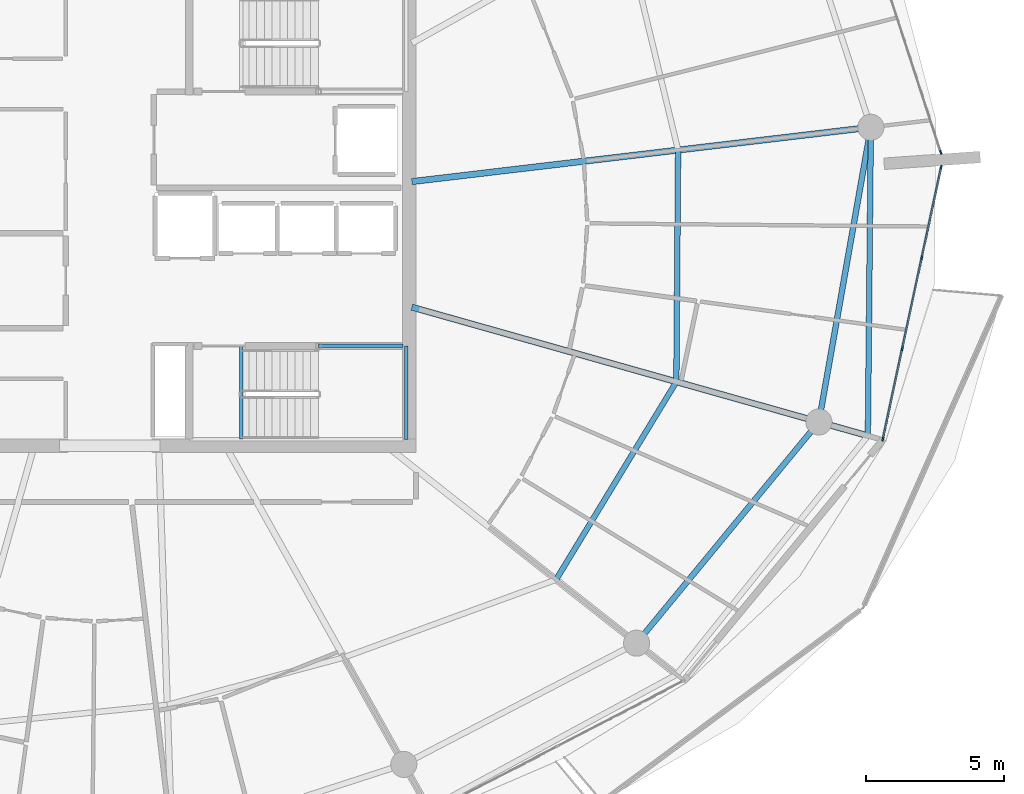
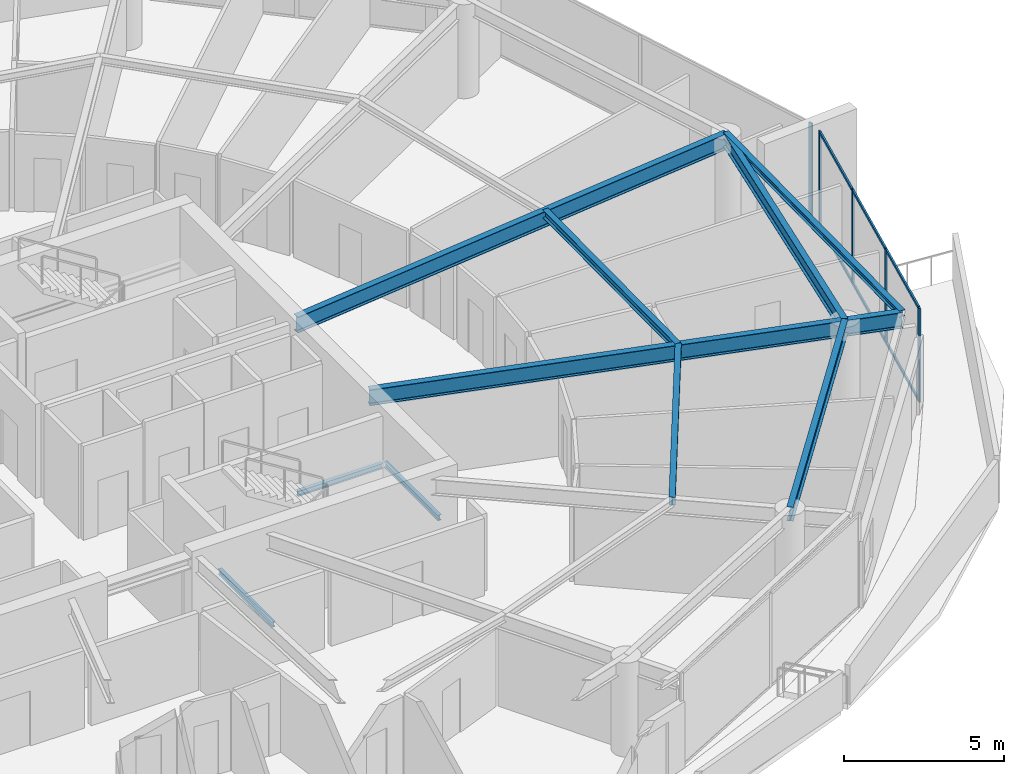
# One storey, part 11 of 30: 11 members, 10 beams, 2 elements without a shape of their own.
"""IFC4 building model written with IfcOpenShell, lengths in metres."""

import ifcopenshell
import ifcopenshell.guid

model = None  # the IFC model being written
_history = None  # IfcOwnerHistory: only IFC2X3 demands one
_inside = {}  # id of a spatial element -> (the spatial element, [elements in it])
_under = {}  # id of a project, library or spatial element -> (it, [spatial elements below it])
_declared = {}  # id of a project -> (the project, [libraries it declares])
_typed = {}  # id of a type object -> (the type object, [elements of that type])
_made_of = {}  # id of a material, layer set ... -> (it, [elements and type objects made of it])


def new_model(schema):
    """Start an empty IFC model of exactly this schema.

    Asked for "IFC4X3", IfcOpenShell would pick the latest addendum, in which some entities
    have other attributes; the version numbers below select the first issue.
    IFC2X3 requires an IfcOwnerHistory on every rooted entity: one is made here for all.
    """
    global model, _history
    if schema == "IFC4X3":
        model = ifcopenshell.file(schema_version=(4, 3, 0, 0))
    else:
        model = ifcopenshell.file(schema=schema)
    _inside.clear()
    _under.clear()
    _declared.clear()
    _typed.clear()
    _made_of.clear()
    _history = None
    if model.schema == "IFC2X3":
        org = make("IfcOrganization", Name="unknown")
        user = make(
            "IfcPersonAndOrganization",
            ThePerson=make("IfcPerson", FamilyName="unknown"),
            TheOrganization=org,
        )
        app = make(
            "IfcApplication",
            ApplicationDeveloper=org,
            Version="unknown",
            ApplicationFullName="unknown",
            ApplicationIdentifier="unknown",
        )
        _history = make(
            "IfcOwnerHistory",
            OwningUser=user,
            OwningApplication=app,
            ChangeAction="ADDED",
            CreationDate=0,
        )
    return model


def make(cls, **values):
    """One entity of the class cls with the attributes given. An attribute that is None is left unset."""
    return model.create_entity(
        cls, **{name: value for name, value in values.items() if value is not None}
    )


def rooted(cls, **values):
    """An entity with a GlobalId (a new one), such as an element, a storey or a relation."""
    return make(cls, GlobalId=ifcopenshell.guid.new(), OwnerHistory=_history, **values)


def si_unit(unit_type, name, prefix=None):
    """IfcSIUnit, for example si_unit("LENGTHUNIT", "METRE", prefix="MILLI")."""
    return make("IfcSIUnit", UnitType=unit_type, Prefix=prefix, Name=name)


def assignment(units):
    """IfcUnitAssignment: the units of a project."""
    return None if units is None else make("IfcUnitAssignment", Units=units)


def point(xyz):
    """IfcCartesianPoint."""
    return None if xyz is None else make("IfcCartesianPoint", Coordinates=xyz)


def direction(xyz):
    """IfcDirection."""
    return None if xyz is None else make("IfcDirection", DirectionRatios=xyz)


def frame(location, z_axis=None, x_axis=None):
    """IfcAxis2Placement3D, a coordinate frame: its origin and axes. An axis left out is left unset."""
    return make(
        "IfcAxis2Placement3D",
        Location=point(location),
        Axis=direction(z_axis),
        RefDirection=direction(x_axis),
    )


def frame_2d(location, x_axis=None):
    """IfcAxis2Placement2D, a coordinate frame in the plane: its origin and x axis."""
    return make(
        "IfcAxis2Placement2D", Location=point(location), RefDirection=direction(x_axis)
    )


def origin():
    """The frame at (0, 0, 0) with its axes left unset."""
    return frame((0.0, 0.0, 0.0))


def origin_2d():
    """The frame at (0, 0) in the plane with its x axis left unset."""
    return frame_2d((0.0, 0.0))


def place(relative_to, where):
    """IfcLocalPlacement: puts the frame where relative to a parent placement (None: the world)."""
    return make(
        "IfcLocalPlacement", PlacementRelTo=relative_to, RelativePlacement=where
    )


def context(
    kind, dimensions, precision=None, world=None, true_north=None, identifier=None
):
    """IfcGeometricRepresentationContext, for example the 3D "Model" context."""
    return make(
        "IfcGeometricRepresentationContext",
        ContextIdentifier=identifier,
        ContextType=kind,
        CoordinateSpaceDimension=dimensions,
        Precision=precision,
        WorldCoordinateSystem=world,
        TrueNorth=true_north,
    )


def subcontext(parent, identifier, kind, view, scale=None):
    """IfcGeometricRepresentationSubContext, for example "Body" below "Model"."""
    return make(
        "IfcGeometricRepresentationSubContext",
        ContextIdentifier=identifier,
        ContextType=kind,
        ParentContext=parent,
        TargetScale=scale,
        TargetView=view,
    )


def project(units=None, contexts=None):
    """IfcProject with its units and contexts."""
    return rooted(
        "IfcProject",
        Name="project",
        RepresentationContexts=contexts,
        UnitsInContext=assignment(units),
    )


def spatial(cls, under=None, at=None, **own):
    """A site, building, storey or space (cls), placed at a placement, below another one or the project."""
    s = rooted(cls, ObjectPlacement=at, **own)
    if under is not None:
        _under.setdefault(under.id(), (under, []))[1].append(s)
    return s


def profile(cls, at=None, kind="AREA", **sizes):
    """A parametric profile (cls). Its sizes go by their IFC names, for example OverallWidth=200.0."""
    return make(cls, ProfileType=kind, Position=at, **sizes)


def rectangle(**sizes):
    """IfcRectangleProfileDef."""
    return profile("IfcRectangleProfileDef", **sizes)


def i_section(**sizes):
    """IfcIShapeProfileDef."""
    return profile("IfcIShapeProfileDef", **sizes)


def extrude(swept, where, along, depth):
    """IfcExtrudedAreaSolid: the profile swept, set in the frame where, extruded along a direction by depth."""
    return make(
        "IfcExtrudedAreaSolid",
        SweptArea=swept,
        Position=where,
        ExtrudedDirection=direction(along),
        Depth=depth,
    )


def shape(context_of_items, identifier, shape_type, items):
    """IfcShapeRepresentation: the items that make up one representation, for example the "Body"."""
    return make(
        "IfcShapeRepresentation",
        ContextOfItems=context_of_items,
        RepresentationIdentifier=identifier,
        RepresentationType=shape_type,
        Items=items,
    )


def material(Name=None, Category=None):
    """IfcMaterial."""
    return make("IfcMaterial", Name=Name, Category=Category)


def layer(
    of_material, thickness, ventilated=None, Name=None, Category=None, Priority=None
):
    """IfcMaterialLayer: one layer of a wall or slab, of a material (None: an air gap)."""
    return make(
        "IfcMaterialLayer",
        Material=of_material,
        LayerThickness=thickness,
        IsVentilated=ventilated,
        Name=Name,
        Category=Category,
        Priority=Priority,
    )


def layer_set(layers, Name=None):
    """IfcMaterialLayerSet."""
    return make("IfcMaterialLayerSet", MaterialLayers=layers, LayerSetName=Name)


def material_profile(
    of_material, cross_section, Name=None, Category=None, Priority=None
):
    """IfcMaterialProfile: a cross section and its material."""
    return make(
        "IfcMaterialProfile",
        Name=Name,
        Material=of_material,
        Profile=cross_section,
        Priority=Priority,
        Category=Category,
    )


def profile_set(profiles, Name=None, composite=None):
    """IfcMaterialProfileSet."""
    return make(
        "IfcMaterialProfileSet",
        Name=Name,
        MaterialProfiles=profiles,
        CompositeProfile=composite,
    )


def made_of(thing, what):
    """Note that an element or type object is made of a material, layer set ...; save() writes the relation."""
    if what is not None:
        _made_of.setdefault(what.id(), (what, []))[1].append(thing)
    return thing


def type_object(cls, material=None, **own):
    """A type object (cls), such as IfcWallType, which elements share."""
    return made_of(rooted(cls, **own), material)


def element(
    cls,
    number,
    at=None,
    inside=None,
    cuts=None,
    type_object=None,
    material=None,
    context=None,
    identifier="Body",
    shape_type=None,
    held_by="IfcProductDefinitionShape",
    body=None,
    shapes=None,
    **own,
):
    """One element of the class cls, such as IfcWall. Its Tag is "e" and its number.

    at: its placement. inside: the storey or other place that contains it. cuts: it is an
    opening in that element (IfcRelVoidsElement). A single representation is given by context,
    identifier, shape_type and body (its items); several are given by shapes. held_by: the class
    of the entity that holds the representations. save() writes the other relations.
    """
    e = rooted(cls, Tag="e%d" % number, ObjectPlacement=at, **own)
    if body is not None:
        shapes = [shape(context, identifier, shape_type, body)]
    if shapes is not None:
        e.Representation = make(held_by, Representations=shapes)
    if inside is not None:
        _inside.setdefault(inside.id(), (inside, []))[1].append(e)
    if cuts is not None:
        rooted(
            "IfcRelVoidsElement", RelatingBuildingElement=cuts, RelatedOpeningElement=e
        )
    if type_object is not None:
        _typed.setdefault(type_object.id(), (type_object, []))[1].append(e)
    return made_of(e, material)


def aggregate(whole, parts):
    """IfcRelAggregates: a whole, such as a stair, and the parts it consists of."""
    return rooted("IfcRelAggregates", RelatingObject=whole, RelatedObjects=parts)


def save(model, path):
    """Write the relations noted so far, then the file.

    IfcRelAggregates (storeys below a building ...), IfcRelContainedInSpatialStructure (elements
    in a storey), IfcRelDefinesByType, IfcRelAssociatesMaterial and IfcRelDeclares: one each for
    every whole, place, type object, material and project.
    """
    for whole, parts in _under.values():
        aggregate(whole, parts)
    for where, things in _inside.values():
        rooted(
            "IfcRelContainedInSpatialStructure",
            RelatedElements=things,
            RelatingStructure=where,
        )
    for kind, things in _typed.values():
        rooted("IfcRelDefinesByType", RelatedObjects=things, RelatingType=kind)
    for what, things in _made_of.values():
        rooted("IfcRelAssociatesMaterial", RelatedObjects=things, RelatingMaterial=what)
    for by, libraries in _declared.values():
        rooted("IfcRelDeclares", RelatingContext=by, RelatedDefinitions=libraries)
    model.write(path)


model = new_model("IFC4")

# Units and contexts
model_context = context("Model", 3, precision=1e-05, world=origin(), true_north=direction((0.0, 1.0)))
body_context = subcontext(model_context, "Body", "Model", "MODEL_VIEW")
ifc_project = project(units=[si_unit("LENGTHUNIT", "METRE"), si_unit("AREAUNIT", "SQUARE_METRE"), si_unit("VOLUMEUNIT", "CUBIC_METRE"), si_unit("PLANEANGLEUNIT", "RADIAN"), si_unit("MASSUNIT", "GRAM", prefix="KILO")], contexts=[model_context])

# Site, building, storey
site_placement = place(None, origin())
site = spatial("IfcSite", under=ifc_project, at=site_placement, CompositionType="ELEMENT")
building_placement = place(site_placement, origin())
building = spatial("IfcBuilding", under=site, at=building_placement, Name="Kazma Halo Residences", CompositionType="ELEMENT")
storey_placement = place(building_placement, frame((0.0, 0.0, 279.050048828125)))
storey = spatial("IfcBuildingStorey", under=building, at=storey_placement, Name="L70", CompositionType="ELEMENT", Elevation=279.050048828125)

# Beams
ifc_material_1 = material(Name="Steel S355", Category="steel")
ifc_material_profile_1 = material_profile(ifc_material_1, i_section(OverallWidth=0.201904296875, OverallDepth=0.2470703125, WebThickness=0.00732421875, FlangeThickness=0.010986328125, FilletRadius=0.011962890625, at=origin_2d()), Name="W250x49.1")
ifc_profile_set_1 = profile_set([ifc_material_profile_1], Name="Steel S355")
beam_type_1 = type_object("IfcBeamType", Name="BM-BAL-CANT", PredefinedType="BEAM", material=ifc_profile_set_1)
beam_1_placement = place(storey_placement, frame((75.971435546875, 34.111083984375, 3.466552734375), z_axis=(0.009645503464, 0.999953481049, 0.0), x_axis=(-0.999953481049, 0.009645503464, 0.0)))
element("IfcBeam", 1, at=beam_1_placement, inside=storey, type_object=beam_type_1, Name="L70 wave-balcony tie beam 15", PredefinedType="BEAM", context=body_context, shape_type="SweptSolid", body=[
    extrude(i_section(OverallWidth=0.201904296875, OverallDepth=0.2470703125, WebThickness=0.00732421875, FlangeThickness=0.010986328125, FilletRadius=0.011962890625, at=origin_2d()), origin(), (0.0, 0.0, 1.0), 11.212890625),
])
ifc_material_profile_2 = material_profile(ifc_material_1, i_section(OverallWidth=0.22802734375, OverallDepth=0.60791015625, WebThickness=0.01123046875, FlangeThickness=0.017333984375, FilletRadius=0.01806640625, at=origin_2d()), Name="W610x113")
ifc_profile_set_2 = profile_set([ifc_material_profile_2], Name="Steel S355")
beam_type_2 = type_object("IfcBeamType", Name="BM-RAD-W610", PredefinedType="BEAM", material=ifc_profile_set_2)
beam_2_placement = place(storey_placement, frame((59.39990234375, 38.784912109375, 3.285888671875), z_axis=(0.962452620609, -0.271449724781, 0.0), x_axis=(0.271449724781, 0.962452620609, 0.0)))
element("IfcBeam", 2, at=beam_2_placement, inside=storey, type_object=beam_type_2, Name="L70 radial floor beam 15", PredefinedType="BEAM", context=body_context, shape_type="SweptSolid", body=[
    extrude(i_section(OverallWidth=0.22802734375, OverallDepth=0.60791015625, WebThickness=0.01123046875, FlangeThickness=0.017333984375, FilletRadius=0.01806640625, at=origin_2d()), origin(), (0.0, 0.0, 1.0), 17.218017578125),
])
beam_3_placement = place(storey_placement, frame((59.39990234375, 43.349365234375, 3.285888671875), z_axis=(0.993068804541, 0.117534460678, 0.0), x_axis=(-0.117534460678, 0.993068804541, 0.0)))
element("IfcBeam", 3, at=beam_3_placement, inside=storey, type_object=beam_type_2, Name="L70 radial floor beam 16", PredefinedType="BEAM", context=body_context, shape_type="SweptSolid", body=[
    extrude(i_section(OverallWidth=0.22802734375, OverallDepth=0.60791015625, WebThickness=0.01123046875, FlangeThickness=0.017333984375, FilletRadius=0.01806640625, at=origin_2d()), origin(), (0.0, 0.0, 1.0), 16.796142578125),
])
ifc_material_profile_3 = material_profile(ifc_material_1, i_section(OverallWidth=0.202880859375, OverallDepth=0.302978515625, WebThickness=0.007568359375, FlangeThickness=0.01318359375, FilletRadius=0.013916015625, at=origin_2d()), Name="W310x60")
ifc_profile_set_3 = profile_set([ifc_material_profile_3], Name="Steel S355")
beam_type_3 = type_object("IfcBeamType", Name="BM-SEC-W310A", PredefinedType="JOIST", material=ifc_profile_set_3)
beam_4_placement = place(storey_placement, frame((64.6396484375, 28.88232421875, 3.4384765625), z_axis=(0.519439801751, 0.854507046406, 0.0), x_axis=(-0.854507046406, 0.519439801751, 0.0)))
element("IfcBeam", 4, at=beam_4_placement, inside=storey, type_object=beam_type_3, Name="L70 circumferential floor joist 14", PredefinedType="JOIST", context=body_context, shape_type="SweptSolid", body=[
    extrude(i_section(OverallWidth=0.202880859375, OverallDepth=0.302978515625, WebThickness=0.007568359375, FlangeThickness=0.01318359375, FilletRadius=0.013916015625, at=origin_2d()), origin(), (0.0, 0.0, 1.0), 8.41650390625),
])
beam_5_placement = place(storey_placement, frame((69.011474609375, 36.07421875, 3.4384765625), z_axis=(0.007451444375, 0.999972237603, 0.0), x_axis=(-0.999972237603, 0.007451444375, 0.0)))
element("IfcBeam", 5, at=beam_5_placement, inside=storey, type_object=beam_type_3, Name="L70 circumferential floor joist 15", PredefinedType="JOIST", context=body_context, shape_type="SweptSolid", body=[
    extrude(i_section(OverallWidth=0.202880859375, OverallDepth=0.302978515625, WebThickness=0.007568359375, FlangeThickness=0.01318359375, FilletRadius=0.013916015625, at=origin_2d()), origin(), (0.0, 0.0, 1.0), 8.42041015625),
])
ifc_material_profile_4 = material_profile(ifc_material_1, i_section(OverallWidth=0.208984375, OverallDepth=0.532958984375, WebThickness=0.01025390625, FlangeThickness=0.015625, FilletRadius=0.01611328125, at=origin_2d()), Name="W530x92")
ifc_profile_set_4 = profile_set([ifc_material_profile_4], Name="Steel S355")
beam_type_4 = type_object("IfcBeamType", Name="BM-SPN-W530", PredefinedType="BEAM", material=ifc_profile_set_4)
beam_6_placement = place(storey_placement, frame((67.566162109375, 26.5751953125, 3.323486328125), z_axis=(0.636002144225, 0.771687289348, 0.0), x_axis=(-0.771687289348, 0.636002144225, 0.0)))
element("IfcBeam", 6, at=beam_6_placement, inside=storey, type_object=beam_type_4, Name="L70 perimeter ring beam 14", PredefinedType="BEAM", context=body_context, shape_type="SweptSolid", body=[
    extrude(i_section(OverallWidth=0.208984375, OverallDepth=0.532958984375, WebThickness=0.01025390625, FlangeThickness=0.015625, FilletRadius=0.01611328125, at=origin_2d()), origin(), (0.0, 0.0, 1.0), 10.416259765625),
])
beam_7_placement = place(storey_placement, frame((74.19091796875, 34.61328125, 3.323486328125), z_axis=(0.173663672311, 0.984805020763, 0.0), x_axis=(-0.984805020763, 0.173663672311, 0.0)))
element("IfcBeam", 7, at=beam_7_placement, inside=storey, type_object=beam_type_4, Name="L70 perimeter ring beam 15", PredefinedType="BEAM", context=body_context, shape_type="SweptSolid", body=[
    extrude(i_section(OverallWidth=0.208984375, OverallDepth=0.532958984375, WebThickness=0.01025390625, FlangeThickness=0.015625, FilletRadius=0.01611328125, at=origin_2d()), origin(), (0.0, 0.0, 1.0), 10.87548828125),
])
ifc_material_profile_5 = material_profile(ifc_material_1, i_section(OverallWidth=0.133056640625, OverallDepth=0.20703125, WebThickness=0.005859375, FlangeThickness=0.00830078125, FilletRadius=0.010009765625, at=origin_2d()), Name="W200x26.6")
ifc_profile_set_5 = profile_set([ifc_material_profile_5], Name="Steel S355")
beam_type_5 = type_object("IfcBeamType", Name="BM-TRIM-W200", PredefinedType="BEAM", material=ifc_profile_set_5)
beam_8_placement = place(storey_placement, frame((53.199951171875, 34.0, -0.3701171875), z_axis=(0.0, 1.0, 0.0), x_axis=(-1.0, 0.0, 0.0)))
element("IfcBeam", 8, at=beam_8_placement, inside=storey, type_object=beam_type_5, Name="L70 ST-03 floor landing support beam", PredefinedType="BEAM", context=body_context, shape_type="SweptSolid", body=[
    extrude(i_section(OverallWidth=0.133056640625, OverallDepth=0.20703125, WebThickness=0.005859375, FlangeThickness=0.00830078125, FilletRadius=0.010009765625, at=origin_2d()), origin(), (0.0, 0.0, 1.0), 3.3798828125),
])
beam_9_placement = place(storey_placement, frame((56.0, 37.3798828125, 1.619873046875), z_axis=(1.0, 0.0, 0.0), x_axis=(0.0, 1.0, 0.0)))
element("IfcBeam", 9, at=beam_9_placement, inside=storey, type_object=beam_type_5, Name="L70 ST-03 landing north wall ledger", PredefinedType="BEAM", context=body_context, shape_type="SweptSolid", body=[
    extrude(i_section(OverallWidth=0.133056640625, OverallDepth=0.20703125, WebThickness=0.005859375, FlangeThickness=0.00830078125, FilletRadius=0.010009765625, at=origin_2d()), origin(), (0.0, 0.0, 1.0), 3.070068359375),
])
beam_10_placement = place(storey_placement, frame((59.18994140625, 33.97998046875, 1.619873046875), z_axis=(0.0, 1.0, 0.0), x_axis=(-1.0, 0.0, 0.0)))
element("IfcBeam", 10, at=beam_10_placement, inside=storey, type_object=beam_type_5, Name="L70 ST-03 landing end wall ledger", PredefinedType="BEAM", context=body_context, shape_type="SweptSolid", body=[
    extrude(i_section(OverallWidth=0.133056640625, OverallDepth=0.20703125, WebThickness=0.005859375, FlangeThickness=0.00830078125, FilletRadius=0.010009765625, at=origin_2d()), origin(), (0.0, 0.0, 1.0), 3.39990234375),
])

# Curtain wall, members
ifc_material_2 = material(Name="Aluminium AW-6063 T6 and Triple-Silver Low-E Glass", Category="aluminium")
ifc_layer = layer(ifc_material_2, 0.139892578125)
ifc_layer_set = layer_set([ifc_layer], Name="Aluminium AW-6063 T6 and Triple-Silver Low-E Glass")
curtain_wall_type = type_object("IfcCurtainWallType", Name="CW-SYS-5", PredefinedType="NOTDEFINED", material=ifc_layer_set)
curtain_wall_1_placement = place(storey_placement, origin())
curtain_wall_1 = element("IfcCurtainWall", 11, at=curtain_wall_1_placement, inside=storey, type_object=curtain_wall_type, Name="L70 unitised curtain wall B15", PredefinedType="NOTDEFINED")
ifc_material_3 = material(Name="Aluminium AW-6063 T6", Category="aluminium")
ifc_material_profile_6 = material_profile(ifc_material_3, rectangle(XDim=0.06005859375, YDim=0.139892578125, at=origin_2d()), Name="CWM-60x140")
ifc_profile_set_6 = profile_set([ifc_material_profile_6], Name="Aluminium AW-6063 T6")
member_type_1 = type_object("IfcMemberType", Name="CW-SYS-5-MUL", PredefinedType="MULLION", material=ifc_profile_set_6)
member_1_placement = place(storey_placement, frame((76.514892578125, 33.989013671875, 0.0), z_axis=(0.0, 0.0, 1.0), x_axis=(-0.97777491373, 0.209657382603, 0.0)))
member_1 = element("IfcMember", 12, at=member_1_placement, type_object=member_type_1, Name="CWS-5 mullion 1", PredefinedType="MULLION", context=body_context, shape_type="SweptSolid", body=[
    extrude(rectangle(XDim=0.06005859375, YDim=0.139892578125, at=origin_2d()), origin(), (0.0, 0.0, 1.0), 3.58984375),
])
member_2_placement = place(storey_placement, frame((77.218994140625, 37.2734375, 0.0), z_axis=(0.0, 0.0, 1.0), x_axis=(-0.97777491373, 0.209657382603, 0.0)))
member_2 = element("IfcMember", 13, at=member_2_placement, type_object=member_type_1, Name="CWS-5 mullion 2", PredefinedType="MULLION", context=body_context, shape_type="SweptSolid", body=[
    extrude(rectangle(XDim=0.06005859375, YDim=0.139892578125, at=origin_2d()), origin(), (0.0, 0.0, 1.0), 3.58984375),
])
member_3_placement = place(storey_placement, frame((77.9296875, 40.587158203125, 0.0), z_axis=(0.0, 0.0, 1.0), x_axis=(-0.97777491373, 0.209657382603, 0.0)))
member_3 = element("IfcMember", 14, at=member_3_placement, type_object=member_type_1, Name="CWS-5 mullion 3", PredefinedType="MULLION", context=body_context, shape_type="SweptSolid", body=[
    extrude(rectangle(XDim=0.06005859375, YDim=0.139892578125, at=origin_2d()), origin(), (0.0, 0.0, 1.0), 3.58984375),
])
member_4_placement = place(storey_placement, frame((78.6337890625, 43.87158203125, 0.0), z_axis=(0.0, 0.0, 1.0), x_axis=(-0.97777491373, 0.209657382603, 0.0)))
member_4 = element("IfcMember", 15, at=member_4_placement, type_object=member_type_1, Name="CWS-5 mullion 4", PredefinedType="MULLION", context=body_context, shape_type="SweptSolid", body=[
    extrude(rectangle(XDim=0.06005859375, YDim=0.139892578125, at=origin_2d()), origin(), (0.0, 0.0, 1.0), 3.58984375),
])

# Curtain wall, member
curtain_wall_2_placement = place(storey_placement, origin())
curtain_wall_2 = element("IfcCurtainWall", 16, at=curtain_wall_2_placement, inside=storey, type_object=curtain_wall_type, Name="L70 unitised curtain wall B16", PredefinedType="NOTDEFINED")
member_5_placement = place(storey_placement, frame((78.622802734375, 44.412353515625, 0.0), z_axis=(0.0, 0.0, 1.0), x_axis=(-0.951058464359, -0.309010998786, 0.0)))
member_5 = element("IfcMember", 17, at=member_5_placement, type_object=member_type_1, Name="CWS-5 mullion 1", PredefinedType="MULLION", context=body_context, shape_type="SweptSolid", body=[
    extrude(rectangle(XDim=0.06005859375, YDim=0.139892578125, at=origin_2d()), origin(), (0.0, 0.0, 1.0), 3.58984375),
])
aggregate(curtain_wall_2, [member_5])

# Member
ifc_material_profile_7 = material_profile(ifc_material_3, rectangle(XDim=0.06005859375, YDim=0.10498046875, at=origin_2d()), Name="CWT-60x105")
ifc_profile_set_7 = profile_set([ifc_material_profile_7], Name="Aluminium AW-6063 T6")
member_type_2 = type_object("IfcMemberType", Name="CW-SYS-5-TRN", PredefinedType="USERDEFINED", material=ifc_profile_set_7)
member_6_placement = place(storey_placement, frame((76.52099609375, 34.0185546875, 0.030029296875), z_axis=(0.209660493552, 0.977774246666, 0.0), x_axis=(-0.977774246666, 0.209660493552, 0.0)))
member_6 = element("IfcMember", 18, at=member_6_placement, type_object=member_type_2, Name="CWS-5 transom 1.1", ObjectType="TRANSOM", PredefinedType="USERDEFINED", context=body_context, shape_type="SweptSolid", body=[
    extrude(rectangle(XDim=0.06005859375, YDim=0.10498046875, at=origin_2d()), origin(), (0.0, 0.0, 1.0), 3.298828125),
])

member_7_placement = place(storey_placement, frame((76.52099609375, 34.0185546875, 3.56005859375), z_axis=(0.209660493552, 0.977774246666, 0.0), x_axis=(-0.977774246666, 0.209660493552, 0.0)))
member_7 = element("IfcMember", 19, at=member_7_placement, type_object=member_type_2, Name="CWS-5 transom 1.2", ObjectType="TRANSOM", PredefinedType="USERDEFINED", context=body_context, shape_type="SweptSolid", body=[
    extrude(rectangle(XDim=0.06005859375, YDim=0.10498046875, at=origin_2d()), origin(), (0.0, 0.0, 1.0), 3.298828125),
])

member_8_placement = place(storey_placement, frame((77.225341796875, 37.302734375, 0.030029296875), z_axis=(0.209664309019, 0.977773428522, 0.0), x_axis=(-0.977773428522, 0.209664309019, 0.0)))
member_8 = element("IfcMember", 20, at=member_8_placement, type_object=member_type_2, Name="CWS-5 transom 2.1", ObjectType="TRANSOM", PredefinedType="USERDEFINED", context=body_context, shape_type="SweptSolid", body=[
    extrude(rectangle(XDim=0.06005859375, YDim=0.10498046875, at=origin_2d()), origin(), (0.0, 0.0, 1.0), 3.3291015625),
])

member_9_placement = place(storey_placement, frame((77.225341796875, 37.302734375, 3.56005859375), z_axis=(0.209664309019, 0.977773428522, 0.0), x_axis=(-0.977773428522, 0.209664309019, 0.0)))
member_9 = element("IfcMember", 21, at=member_9_placement, type_object=member_type_2, Name="CWS-5 transom 2.2", ObjectType="TRANSOM", PredefinedType="USERDEFINED", context=body_context, shape_type="SweptSolid", body=[
    extrude(rectangle(XDim=0.06005859375, YDim=0.10498046875, at=origin_2d()), origin(), (0.0, 0.0, 1.0), 3.3291015625),
])

member_10_placement = place(storey_placement, frame((77.935791015625, 40.616455078125, 0.030029296875), z_axis=(0.209645323239, 0.977777499457, 0.0), x_axis=(-0.977777499457, 0.209645323239, 0.0)))
member_10 = element("IfcMember", 22, at=member_10_placement, type_object=member_type_2, Name="CWS-5 transom 3.1", ObjectType="TRANSOM", PredefinedType="USERDEFINED", context=body_context, shape_type="SweptSolid", body=[
    extrude(rectangle(XDim=0.06005859375, YDim=0.10498046875, at=origin_2d()), origin(), (0.0, 0.0, 1.0), 3.299072265625),
])

member_11_placement = place(storey_placement, frame((77.935791015625, 40.616455078125, 3.56005859375), z_axis=(0.209645323239, 0.977777499457, 0.0), x_axis=(-0.977777499457, 0.209645323239, 0.0)))
member_11 = element("IfcMember", 23, at=member_11_placement, type_object=member_type_2, Name="CWS-5 transom 3.2", ObjectType="TRANSOM", PredefinedType="USERDEFINED", context=body_context, shape_type="SweptSolid", body=[
    extrude(rectangle(XDim=0.06005859375, YDim=0.10498046875, at=origin_2d()), origin(), (0.0, 0.0, 1.0), 3.299072265625),
])

aggregate(curtain_wall_1, [member_1, member_2, member_3, member_4, member_6, member_7, member_8, member_9, member_10, member_11])

save(model, "model.ifc")
